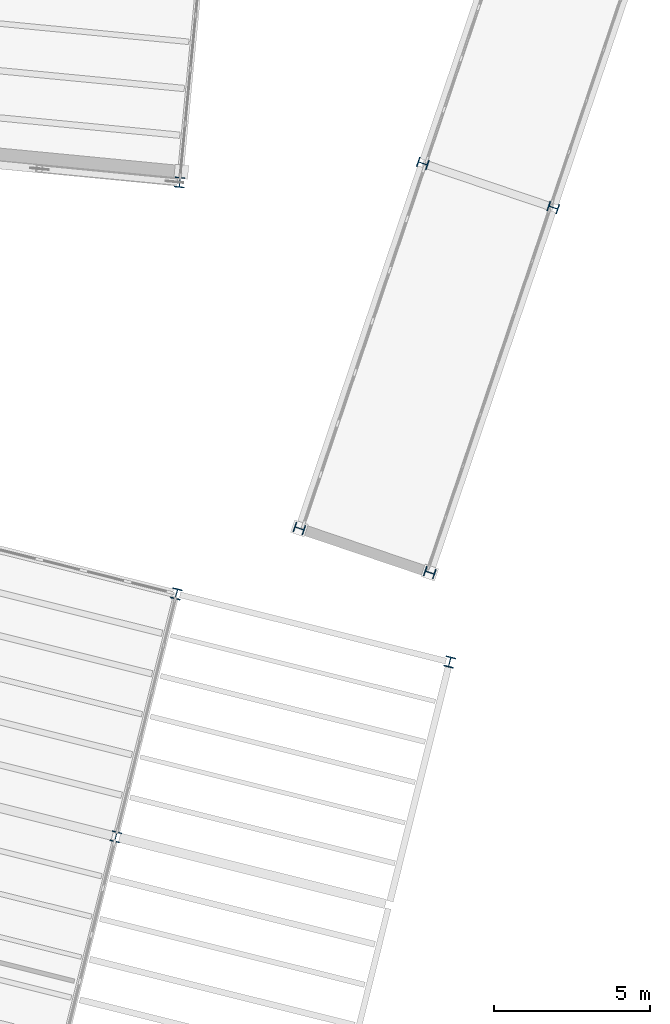
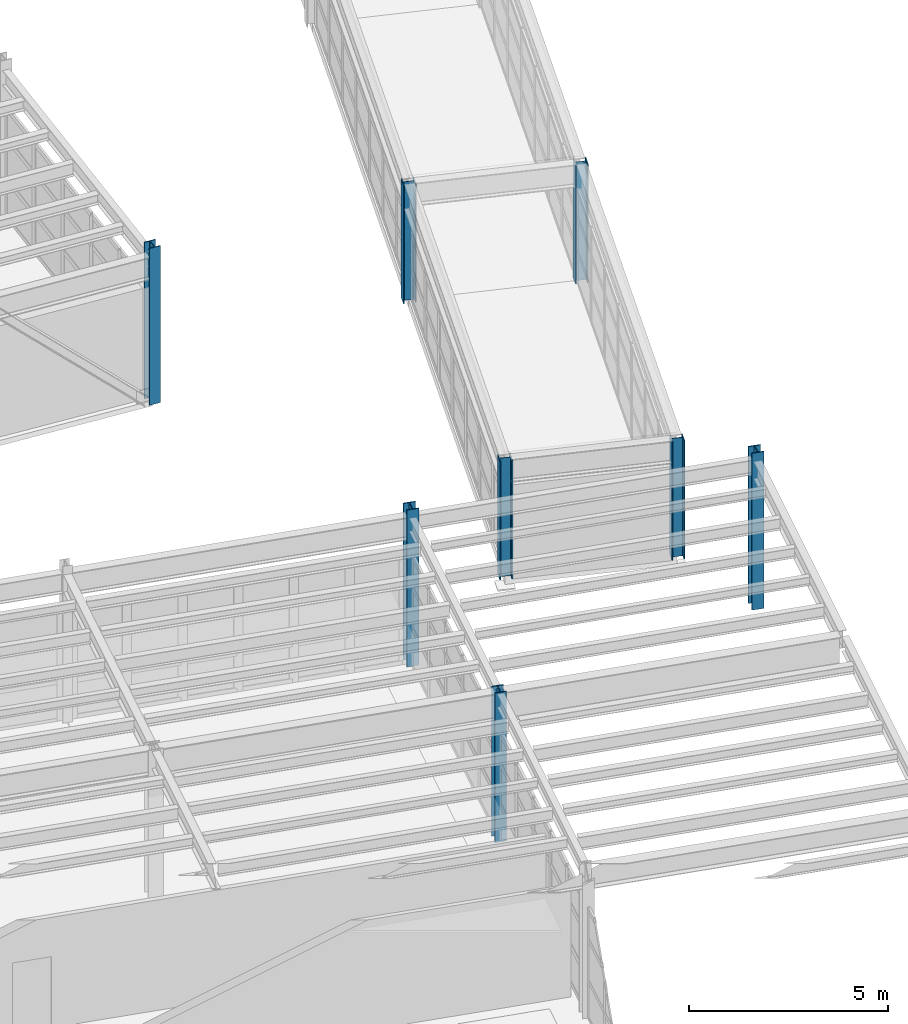
# One storey, part 8 of 102: 8 columns.
"""IFC4 building model written with IfcOpenShell, lengths in metres."""

from ifc_helpers import new_model, si_unit, direction, frame, origin, origin_2d, place, context, subcontext, project, spatial, i_section, extrude, material, material_profile, profile_set, type_object, element, save


model = new_model("IFC4")

# Units and contexts
model_context = context("Model", 3, precision=1e-05, world=origin(), true_north=direction((0.0, 1.0)))
body_context = subcontext(model_context, "Body", "Model", "MODEL_VIEW")
ifc_project = project(units=[si_unit("LENGTHUNIT", "METRE"), si_unit("AREAUNIT", "SQUARE_METRE"), si_unit("VOLUMEUNIT", "CUBIC_METRE"), si_unit("PLANEANGLEUNIT", "RADIAN"), si_unit("MASSUNIT", "GRAM", prefix="KILO")], contexts=[model_context])

# Site, building, storey
site_placement = place(None, origin())
site = spatial("IfcSite", under=ifc_project, at=site_placement, CompositionType="ELEMENT")
building_placement = place(site_placement, origin())
building = spatial("IfcBuilding", under=site, at=building_placement, Name="Vireo Bluff Cable Station", CompositionType="ELEMENT")
storey_placement = place(building_placement, frame((0.0, 0.0, 9.60009765625)))
storey = spatial("IfcBuildingStorey", under=building, at=storey_placement, Name="L02", CompositionType="ELEMENT", Elevation=9.60009765625)

# Columns
ifc_material = material(Name="Steel ASTM A992 Gr. 50", Category="steel")
ifc_material_profile_1 = material_profile(ifc_material, i_section(OverallWidth=0.31298828125, OverallDepth=0.3330078125, WebThickness=0.01806640625, FlangeThickness=0.028076171875, FilletRadius=0.012939453125, at=origin_2d()), Name="W12X120")
ifc_profile_set_1 = profile_set([ifc_material_profile_1], Name="Steel ASTM A992 Gr. 50")
column_type_1 = type_object("IfcColumnType", Name="ECOL-W12X120", PredefinedType="COLUMN", material=ifc_profile_set_1)
for number, where, z_axis, x_axis, name in (
    (1, (103.469482421875, 50.400634765625, 0.0), (0.0, 0.0, 1.0), (0.970295726276, -0.2419218956, 0.0), "V1 L02 column 110"),
    (2, (112.2021484375, 48.223388671875, 0.0), (0.0, 0.0, 1.0), (0.970295726276, -0.2419218956, 0.0), "V1 L02 column 120"),
):
    element("IfcColumn", number, at=place(storey_placement, frame(where, z_axis=z_axis, x_axis=x_axis)), inside=storey, type_object=column_type_1, Name=name, PredefinedType="COLUMN", context=body_context, shape_type="SweptSolid", body=[
        extrude(i_section(OverallWidth=0.31298828125, OverallDepth=0.3330078125, WebThickness=0.01806640625, FlangeThickness=0.028076171875, FilletRadius=0.012939453125, at=origin_2d()), origin(), (0.0, 0.0, 1.0), 4.7998046875),
    ])
for number, where, z_axis, x_axis, name in (
    (3, (111.5673828125, 51.08203125, 0.0), (0.0, 0.0, 1.0), (0.32035190998, 0.947298608556, 0.0), "HAUL-DRIVE skybridge column 1L L02"),
    (4, (107.3994140625, 52.49169921875, 0.0), (0.0, 0.0, 1.0), (0.32035190998, 0.947298608556, 0.0), "HAUL-DRIVE skybridge column 1R L02"),
    (5, (115.512939453125, 62.748779296875, 0.0), (0.0, 0.0, 1.0), (0.32035190998, 0.947298608556, 0.0), "HAUL-DRIVE skybridge column 2L L02"),
    (6, (111.3447265625, 64.158203125, 0.0), (0.0, 0.0, 1.0), (0.32035190998, 0.947298608556, 0.0), "HAUL-DRIVE skybridge column 2R L02"),
):
    element("IfcColumn", number, at=place(storey_placement, frame(where, z_axis=z_axis, x_axis=x_axis)), inside=storey, type_object=column_type_1, Name=name, PredefinedType="COLUMN", context=body_context, shape_type="SweptSolid", body=[
        extrude(i_section(OverallWidth=0.31298828125, OverallDepth=0.3330078125, WebThickness=0.01806640625, FlangeThickness=0.028076171875, FilletRadius=0.012939453125, at=origin_2d()), origin(), (0.0, 0.0, 1.0), 3.6298828125),
    ])
ifc_material_profile_2 = material_profile(ifc_material, i_section(OverallWidth=0.30908203125, OverallDepth=0.322998046875, WebThickness=0.013916015625, FlangeThickness=0.02294921875, FilletRadius=0.012939453125, at=origin_2d()), Name="W12X96")
ifc_profile_set_2 = profile_set([ifc_material_profile_2], Name="Steel ASTM A992 Gr. 50")
column_type_2 = type_object("IfcColumnType", Name="ECOL-W12X96", PredefinedType="COLUMN", material=ifc_profile_set_2)
column_1_placement = place(storey_placement, frame((101.5341796875, 42.63818359375, 0.0), z_axis=(0.0, 0.0, 1.0), x_axis=(0.970295726276, -0.2419218956, 0.0)))
element("IfcColumn", 7, at=column_1_placement, inside=storey, type_object=column_type_2, Name="V1 L02 column 107", PredefinedType="COLUMN", context=body_context, shape_type="SweptSolid", body=[
    extrude(i_section(OverallWidth=0.30908203125, OverallDepth=0.322998046875, WebThickness=0.013916015625, FlangeThickness=0.02294921875, FilletRadius=0.012939453125, at=origin_2d()), origin(), (0.0, 0.0, 1.0), 4.579833984375),
])
column_2_placement = place(storey_placement, frame((103.572265625, 63.553466796875, 0.0), z_axis=(0.0, 0.0, 1.0), x_axis=(0.995396198367, -0.09584575252, 0.0)))
element("IfcColumn", 8, at=column_2_placement, inside=storey, type_object=column_type_2, Name="V3 L02 column 239", PredefinedType="COLUMN", context=body_context, shape_type="SweptSolid", body=[
    extrude(i_section(OverallWidth=0.30908203125, OverallDepth=0.322998046875, WebThickness=0.013916015625, FlangeThickness=0.02294921875, FilletRadius=0.012939453125, at=origin_2d()), origin(), (0.0, 0.0, 1.0), 4.7998046875),
])

save(model, "model.ifc")
